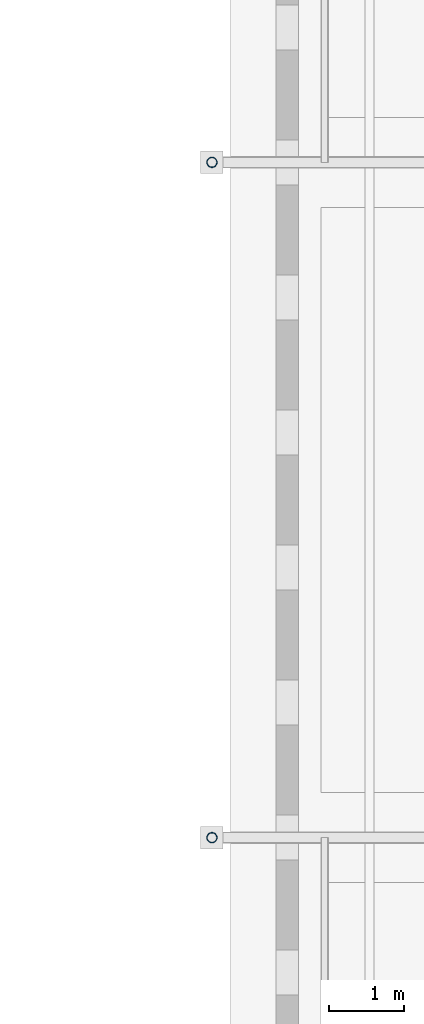
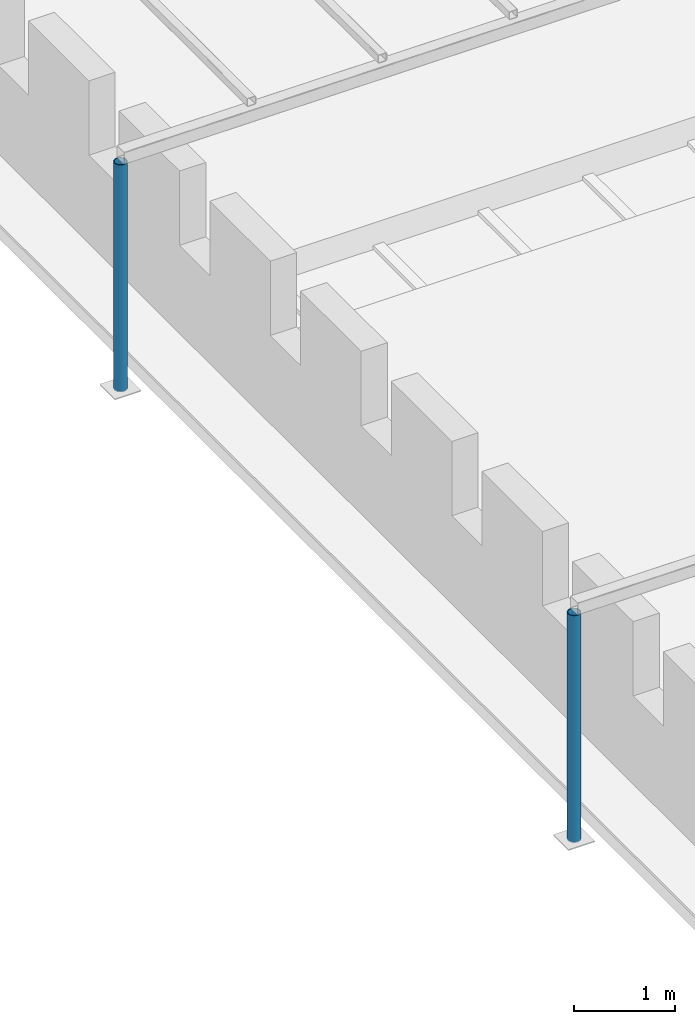
# One storey, part 4 of 37: 2 columns.
"""IFC4 building model written with IfcOpenShell, lengths in metres."""

from ifc_helpers import new_model, si_unit, direction, frame, origin, origin_2d, place, context, subcontext, project, spatial, hollow_circle, extrude, material, material_profile, profile_set, type_object, element, save


model = new_model("IFC4")

# Units and contexts
model_context = context("Model", 3, precision=1e-05, world=origin(), true_north=direction((0.0, 1.0)))
body_context = subcontext(model_context, "Body", "Model", "MODEL_VIEW")
ifc_project = project(units=[si_unit("LENGTHUNIT", "METRE"), si_unit("AREAUNIT", "SQUARE_METRE"), si_unit("VOLUMEUNIT", "CUBIC_METRE"), si_unit("PLANEANGLEUNIT", "RADIAN"), si_unit("MASSUNIT", "GRAM", prefix="KILO")], contexts=[model_context])

# Site, building, storey
site_placement = place(None, origin())
site = spatial("IfcSite", under=ifc_project, at=site_placement, CompositionType="ELEMENT")
building_placement = place(site_placement, origin())
building = spatial("IfcBuilding", under=site, at=building_placement, Name="Baradari Gate Terminus", CompositionType="ELEMENT")
storey_placement = place(building_placement, frame((0.0, 0.0, 24.300048828125)))
storey = spatial("IfcBuildingStorey", under=building, at=storey_placement, Name="L05", CompositionType="ELEMENT", Elevation=24.300048828125)

# Columns
ifc_material = material(Name="Steel S355", Category="steel")
ifc_material_profile = material_profile(ifc_material, hollow_circle(Radius=0.06982421875, WallThickness=0.008056640625, at=origin_2d()), Name="CHS 139.7x8")
ifc_profile_set = profile_set([ifc_material_profile], Name="Steel S355")
column_type = type_object("IfcColumnType", Name="Pergola post CHS 139.7x8", PredefinedType="COLUMN", material=ifc_profile_set)
for number, where, z_axis, x_axis, name in (
    (1, (72.0, 63.0, -0.150146484375), (0.0, 0.0, 1.0), (1.0, 0.0, 0.0), "RF/L05/PGG2-PGC4"),
    (2, (72.0, 72.0, -0.150146484375), (0.0, 0.0, 1.0), (1.0, 0.0, 0.0), "RF/L05/PGG3-PGC1"),
):
    element("IfcColumn", number, at=place(storey_placement, frame(where, z_axis=z_axis, x_axis=x_axis)), inside=storey, type_object=column_type, Name=name, PredefinedType="COLUMN", context=body_context, shape_type="SweptSolid", body=[
        extrude(hollow_circle(Radius=0.06982421875, WallThickness=0.008056640625, at=origin_2d()), origin(), (0.0, 0.0, 1.0), 2.75),
    ])

save(model, "model.ifc")
